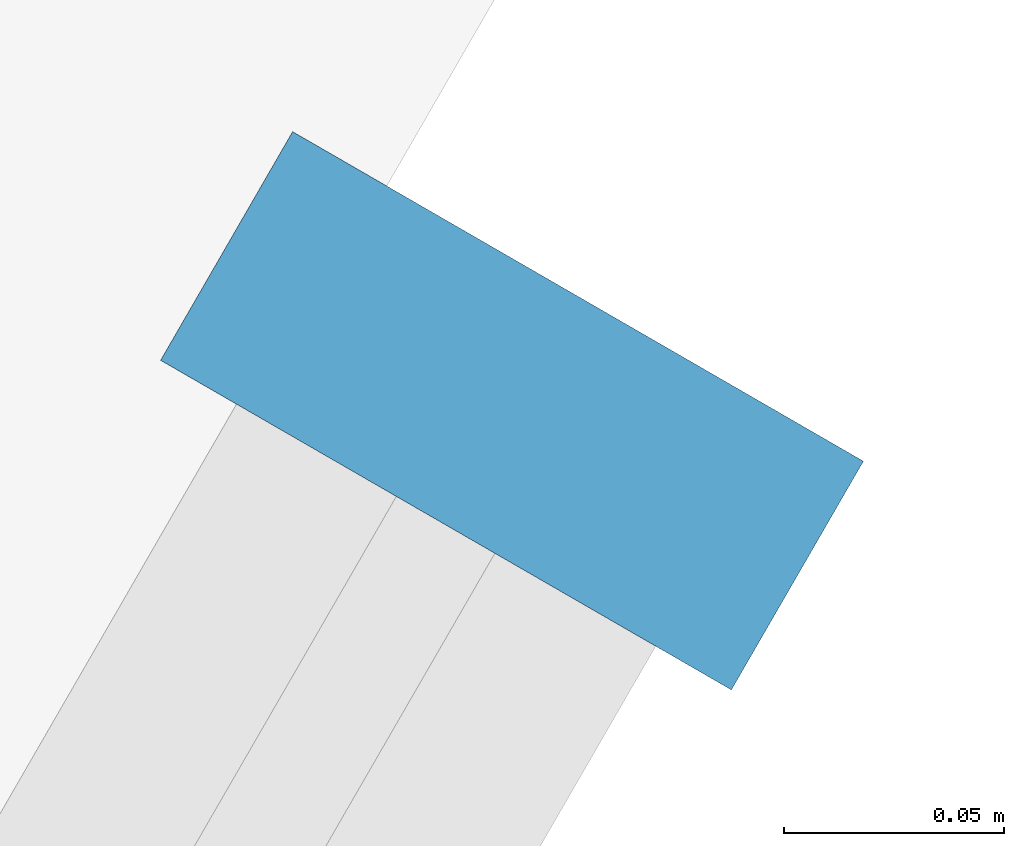
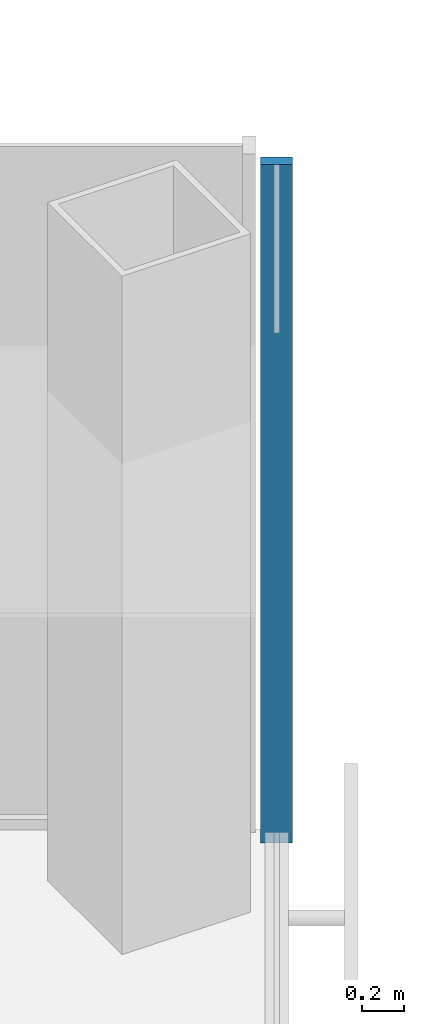
# One storey, part 9 of 19: 1 member, 1 element without a shape of its own.
"""IFC4 building model written with IfcOpenShell, lengths in metres."""

from ifc_helpers import new_model, si_unit, direction, frame, origin, origin_2d, place, context, subcontext, project, spatial, rectangle, extrude, material, material_profile, profile_set, type_object, element, aggregate, save


model = new_model("IFC4")

# Units and contexts
model_context = context("Model", 3, precision=1e-05, world=origin(), true_north=direction((0.0, 1.0)))
body_context = subcontext(model_context, "Body", "Model", "MODEL_VIEW")
ifc_project = project(units=[si_unit("LENGTHUNIT", "METRE"), si_unit("AREAUNIT", "SQUARE_METRE"), si_unit("VOLUMEUNIT", "CUBIC_METRE"), si_unit("PLANEANGLEUNIT", "RADIAN"), si_unit("MASSUNIT", "GRAM", prefix="KILO")], contexts=[model_context])

# Site, building, storey
site_placement = place(None, origin())
site = spatial("IfcSite", under=ifc_project, at=site_placement, CompositionType="ELEMENT")
building_placement = place(site_placement, origin())
building = spatial("IfcBuilding", under=site, at=building_placement, Name="Kasaneha Research Tower", CompositionType="ELEMENT")
storey_placement = place(building_placement, frame((0.0, 0.0, 160.39990234375)))
storey = spatial("IfcBuildingStorey", under=building, at=storey_placement, Name="L40", CompositionType="ELEMENT", Elevation=160.39990234375)

# Curtain wall, member
ifc_material_1 = material(Name="Glass and aluminium", Category="aluminium")
curtain_wall_type = type_object("IfcCurtainWallType", Name="Mid-rise office curtain wall", PredefinedType="USERDEFINED", material=ifc_material_1)
curtain_wall_placement = place(storey_placement, origin())
curtain_wall = element("IfcCurtainWall", 1, at=curtain_wall_placement, inside=storey, type_object=curtain_wall_type, Name="CW-O2 L40 run 04a", ObjectType="UNITISED CURTAIN WALL", PredefinedType="USERDEFINED")
ifc_material_2 = material(Name="Aluminium 6063-T6", Category="aluminium")
ifc_material_profile = material_profile(ifc_material_2, rectangle(XDim=0.06005859375, YDim=0.14990234375, at=origin_2d()), Name="CW-O2 mullion 60x150")
ifc_profile_set = profile_set([ifc_material_profile], Name="Aluminium 6063-T6")
member_type = type_object("IfcMemberType", Name="CW-O2 mullion", PredefinedType="MULLION", material=ifc_profile_set)
member_placement = place(storey_placement, frame((32.012939453125, -6.39306640625, 0.0), z_axis=(0.0, 0.0, 1.0), x_axis=(0.500000011442, 0.866025397178, 0.0)))
member = element("IfcMember", 2, at=member_placement, type_object=member_type, Name="CW-O2 mullion 4", PredefinedType="MULLION", context=body_context, shape_type="SweptSolid", body=[
    extrude(rectangle(XDim=0.06005859375, YDim=0.14990234375, at=origin_2d()), origin(), (0.0, 0.0, 1.0), 3.900146484375),
])
aggregate(curtain_wall, [member])

save(model, "model.ifc")
